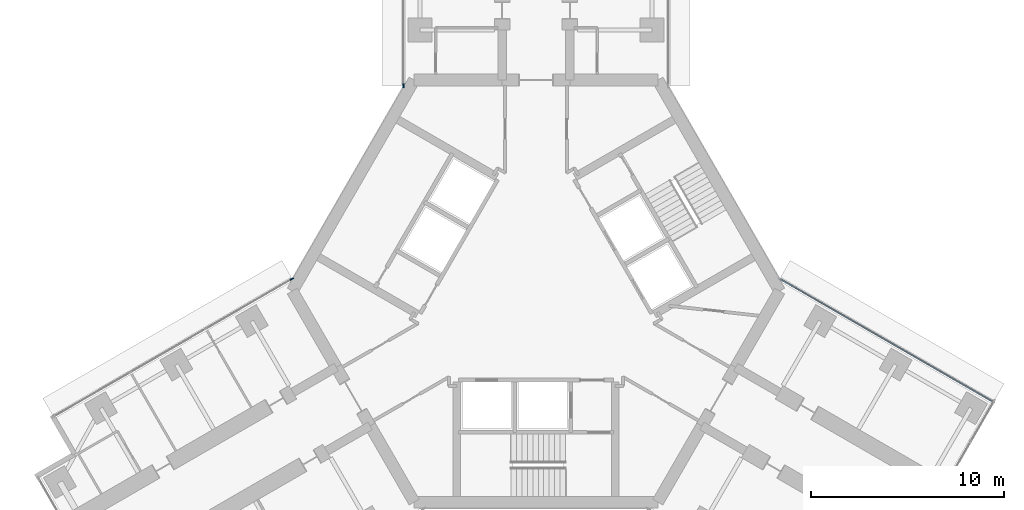
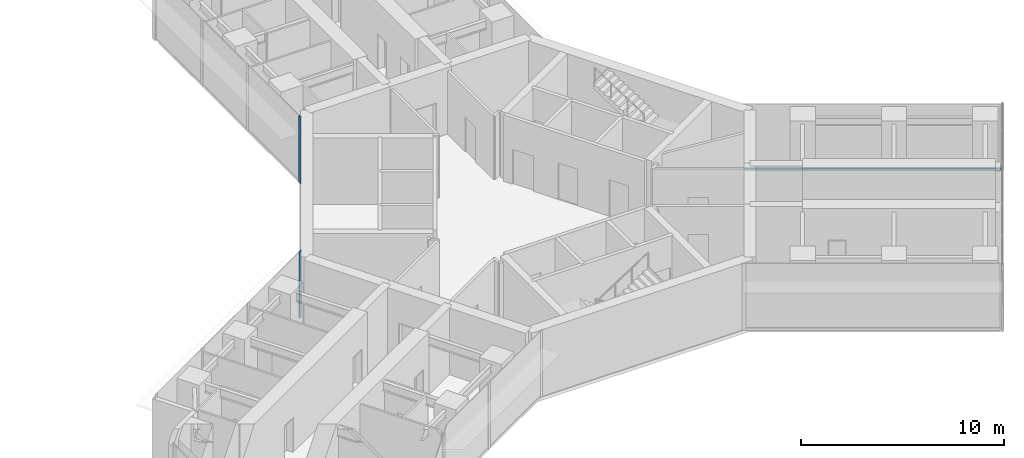
# One storey, part 9 of 23: 3 members, 3 elements without a shape of their own.
"""IFC4 building model written with IfcOpenShell, lengths in metres."""

from ifc_helpers import new_model, si_unit, direction, frame, origin, origin_2d, place, context, subcontext, project, spatial, rectangle, extrude, material, material_profile, profile_set, type_object, element, aggregate, save


model = new_model("IFC4")

# Units and contexts
model_context = context("Model", 3, precision=1e-05, world=origin(), true_north=direction((0.0, 1.0)))
body_context = subcontext(model_context, "Body", "Model", "MODEL_VIEW")
ifc_project = project(units=[si_unit("LENGTHUNIT", "METRE"), si_unit("AREAUNIT", "SQUARE_METRE"), si_unit("VOLUMEUNIT", "CUBIC_METRE"), si_unit("PLANEANGLEUNIT", "RADIAN"), si_unit("MASSUNIT", "GRAM", prefix="KILO")], contexts=[model_context])

# Site, building, storey
site_placement = place(None, origin())
site = spatial("IfcSite", under=ifc_project, at=site_placement, CompositionType="ELEMENT")
building_placement = place(site_placement, origin())
building = spatial("IfcBuilding", under=site, at=building_placement, Name="Upepo Twin Towers", CompositionType="ELEMENT")
storey_placement = place(building_placement, frame((0.0, 0.0, 153.5)))
storey = spatial("IfcBuildingStorey", under=building, at=storey_placement, Name="L37", CompositionType="ELEMENT", Elevation=153.5)

# Curtain wall, member
ifc_material_1 = material(Name="Aluminium and fritted glass", Category="aluminium")
curtain_wall_type = type_object("IfcCurtainWallType", Name="Tower curtain wall TW2, fritted glass", PredefinedType="NOTDEFINED", material=ifc_material_1)
curtain_wall_1_placement = place(storey_placement, origin())
curtain_wall_1 = element("IfcCurtainWall", 1, at=curtain_wall_1_placement, inside=storey, type_object=curtain_wall_type, Name="T2 L37 wing A flank L curtain wall", PredefinedType="NOTDEFINED")
ifc_material_2 = material(Name="Aluminium mullion", Category="aluminium")
ifc_material_profile_1 = material_profile(ifc_material_2, rectangle(XDim=0.06494140625, YDim=0.199951171875, at=origin_2d()), Name="MULLION 65x200")
ifc_profile_set_1 = profile_set([ifc_material_profile_1], Name="Aluminium mullion")
member_type_1 = type_object("IfcMemberType", Name="Mullion 65x200 TW2", PredefinedType="MULLION", material=ifc_profile_set_1)
member_1_placement = place(storey_placement, frame((51.64990234375, -7.38037109375, 0.0), z_axis=(0.0, 0.0, 1.0), x_axis=(-1.0, 0.0, 0.0)))
member_1 = element("IfcMember", 2, at=member_1_placement, type_object=member_type_1, Name="T2 L37 wing A flank L curtain wall mullion 1", PredefinedType="MULLION", context=body_context, shape_type="SweptSolid", body=[
    extrude(rectangle(XDim=0.06494140625, YDim=0.199951171875, at=origin_2d()), origin(), (0.0, 0.0, 1.0), 4.0),
])
aggregate(curtain_wall_1, [member_1])

curtain_wall_2_placement = place(storey_placement, origin())
curtain_wall_2 = element("IfcCurtainWall", 3, at=curtain_wall_2_placement, inside=storey, type_object=curtain_wall_type, Name="T2 L37 wing B flank R curtain wall", PredefinedType="NOTDEFINED")
member_2_placement = place(storey_placement, frame((45.878173828125, -17.37744140625, 0.0), z_axis=(0.0, 0.0, 1.0), x_axis=(-0.500000010308, 0.866025397833, 0.0)))
member_2 = element("IfcMember", 4, at=member_2_placement, type_object=member_type_1, Name="T2 L37 wing B flank R curtain wall mullion 4", PredefinedType="MULLION", context=body_context, shape_type="SweptSolid", body=[
    extrude(rectangle(XDim=0.06494140625, YDim=0.199951171875, at=origin_2d()), origin(), (0.0, 0.0, 1.0), 4.0),
])
aggregate(curtain_wall_2, [member_2])

curtain_wall_3_placement = place(storey_placement, origin())
curtain_wall_3 = element("IfcCurtainWall", 5, at=curtain_wall_3_placement, inside=storey, type_object=curtain_wall_type, Name="T2 L37 wing C flank L curtain wall", PredefinedType="NOTDEFINED")
ifc_material_3 = material(Name="Aluminium transom", Category="aluminium")
ifc_material_profile_2 = material_profile(ifc_material_3, rectangle(XDim=0.06494140625, YDim=0.14990234375, at=origin_2d()), Name="TRANSOM 65x150")
ifc_profile_set_2 = profile_set([ifc_material_profile_2], Name="Aluminium transom")
member_type_2 = type_object("IfcMemberType", Name="Transom 65x150 TW2", PredefinedType="USERDEFINED", material=ifc_profile_set_2)
member_3_placement = place(storey_placement, frame((71.14990234375, -17.393798828125, 0.074951171875), z_axis=(0.866027247007, -0.499996807431, 0.0), x_axis=(0.499996807431, 0.866027247007, 0.0)))
member_3 = element("IfcMember", 6, at=member_3_placement, type_object=member_type_2, Name="T2 L37 wing C flank L curtain wall transom 1", ObjectType="TRANSOM", PredefinedType="USERDEFINED", context=body_context, shape_type="SweptSolid", body=[
    extrude(rectangle(XDim=0.06494140625, YDim=0.14990234375, at=origin_2d()), origin(), (0.0, 0.0, 1.0), 12.6328125),
])
aggregate(curtain_wall_3, [member_3])

save(model, "model.ifc")
